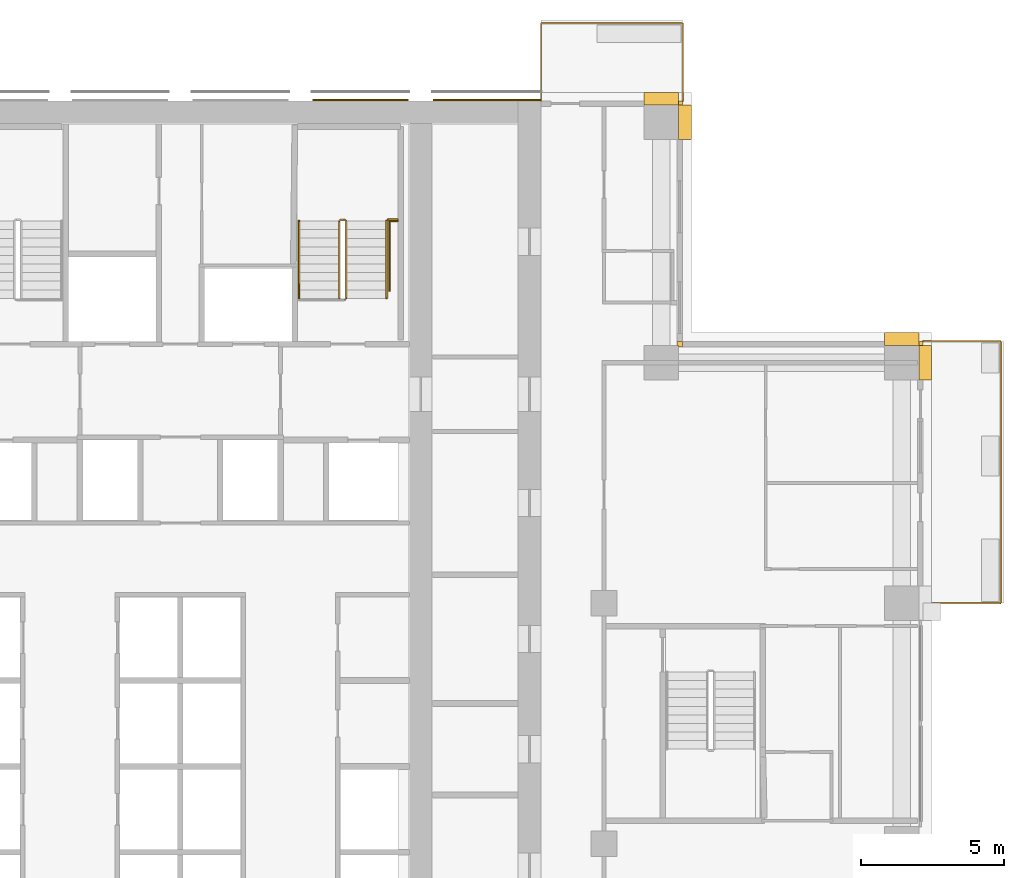
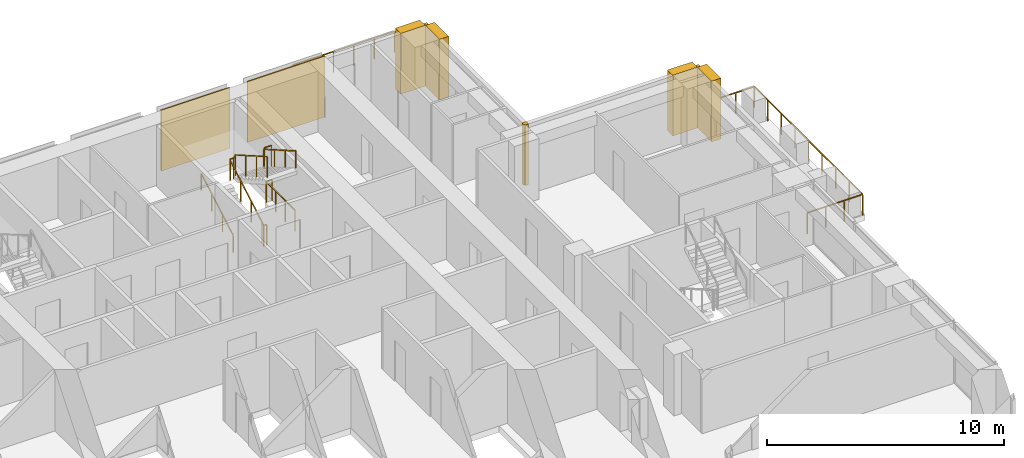
# One storey, part 16 of 16: 9 coverings, 7 railings.
"""IFC4 building model written with IfcOpenShell, lengths in metres."""

import ifcopenshell
import ifcopenshell.guid

model = None  # the IFC model being written
_history = None  # IfcOwnerHistory: only IFC2X3 demands one
_inside = {}  # id of a spatial element -> (the spatial element, [elements in it])
_under = {}  # id of a project, library or spatial element -> (it, [spatial elements below it])
_declared = {}  # id of a project -> (the project, [libraries it declares])
_typed = {}  # id of a type object -> (the type object, [elements of that type])
_made_of = {}  # id of a material, layer set ... -> (it, [elements and type objects made of it])


def new_model(schema):
    """Start an empty IFC model of exactly this schema.

    Asked for "IFC4X3", IfcOpenShell would pick the latest addendum, in which some entities
    have other attributes; the version numbers below select the first issue.
    IFC2X3 requires an IfcOwnerHistory on every rooted entity: one is made here for all.
    """
    global model, _history
    if schema == "IFC4X3":
        model = ifcopenshell.file(schema_version=(4, 3, 0, 0))
    else:
        model = ifcopenshell.file(schema=schema)
    _inside.clear()
    _under.clear()
    _declared.clear()
    _typed.clear()
    _made_of.clear()
    _history = None
    if model.schema == "IFC2X3":
        org = make("IfcOrganization", Name="unknown")
        user = make(
            "IfcPersonAndOrganization",
            ThePerson=make("IfcPerson", FamilyName="unknown"),
            TheOrganization=org,
        )
        app = make(
            "IfcApplication",
            ApplicationDeveloper=org,
            Version="unknown",
            ApplicationFullName="unknown",
            ApplicationIdentifier="unknown",
        )
        _history = make(
            "IfcOwnerHistory",
            OwningUser=user,
            OwningApplication=app,
            ChangeAction="ADDED",
            CreationDate=0,
        )
    return model


def make(cls, **values):
    """One entity of the class cls with the attributes given. An attribute that is None is left unset."""
    return model.create_entity(
        cls, **{name: value for name, value in values.items() if value is not None}
    )


def rooted(cls, **values):
    """An entity with a GlobalId (a new one), such as an element, a storey or a relation."""
    return make(cls, GlobalId=ifcopenshell.guid.new(), OwnerHistory=_history, **values)


def si_unit(unit_type, name, prefix=None):
    """IfcSIUnit, for example si_unit("LENGTHUNIT", "METRE", prefix="MILLI")."""
    return make("IfcSIUnit", UnitType=unit_type, Prefix=prefix, Name=name)


def assignment(units):
    """IfcUnitAssignment: the units of a project."""
    return None if units is None else make("IfcUnitAssignment", Units=units)


def point(xyz):
    """IfcCartesianPoint."""
    return None if xyz is None else make("IfcCartesianPoint", Coordinates=xyz)


def direction(xyz):
    """IfcDirection."""
    return None if xyz is None else make("IfcDirection", DirectionRatios=xyz)


def frame(location, z_axis=None, x_axis=None):
    """IfcAxis2Placement3D, a coordinate frame: its origin and axes. An axis left out is left unset."""
    return make(
        "IfcAxis2Placement3D",
        Location=point(location),
        Axis=direction(z_axis),
        RefDirection=direction(x_axis),
    )


def frame_2d(location, x_axis=None):
    """IfcAxis2Placement2D, a coordinate frame in the plane: its origin and x axis."""
    return make(
        "IfcAxis2Placement2D", Location=point(location), RefDirection=direction(x_axis)
    )


def origin():
    """The frame at (0, 0, 0) with its axes left unset."""
    return frame((0.0, 0.0, 0.0))


def origin_2d():
    """The frame at (0, 0) in the plane with its x axis left unset."""
    return frame_2d((0.0, 0.0))


def place(relative_to, where):
    """IfcLocalPlacement: puts the frame where relative to a parent placement (None: the world)."""
    return make(
        "IfcLocalPlacement", PlacementRelTo=relative_to, RelativePlacement=where
    )


def context(
    kind, dimensions, precision=None, world=None, true_north=None, identifier=None
):
    """IfcGeometricRepresentationContext, for example the 3D "Model" context."""
    return make(
        "IfcGeometricRepresentationContext",
        ContextIdentifier=identifier,
        ContextType=kind,
        CoordinateSpaceDimension=dimensions,
        Precision=precision,
        WorldCoordinateSystem=world,
        TrueNorth=true_north,
    )


def subcontext(parent, identifier, kind, view, scale=None):
    """IfcGeometricRepresentationSubContext, for example "Body" below "Model"."""
    return make(
        "IfcGeometricRepresentationSubContext",
        ContextIdentifier=identifier,
        ContextType=kind,
        ParentContext=parent,
        TargetScale=scale,
        TargetView=view,
    )


def project(units=None, contexts=None):
    """IfcProject with its units and contexts."""
    return rooted(
        "IfcProject",
        Name="project",
        RepresentationContexts=contexts,
        UnitsInContext=assignment(units),
    )


def spatial(cls, under=None, at=None, **own):
    """A site, building, storey or space (cls), placed at a placement, below another one or the project."""
    s = rooted(cls, ObjectPlacement=at, **own)
    if under is not None:
        _under.setdefault(under.id(), (under, []))[1].append(s)
    return s


def polyline(points):
    """IfcPolyline through the points."""
    return make("IfcPolyline", Points=[point(p) for p in points])


def profile(cls, at=None, kind="AREA", **sizes):
    """A parametric profile (cls). Its sizes go by their IFC names, for example OverallWidth=200.0."""
    return make(cls, ProfileType=kind, Position=at, **sizes)


def rectangle(**sizes):
    """IfcRectangleProfileDef."""
    return profile("IfcRectangleProfileDef", **sizes)


def outline(outer, holes=None, kind="AREA"):
    """IfcArbitraryClosedProfileDef: a profile drawn as a closed curve; with holes, ...WithVoids."""
    if holes is None:
        return make("IfcArbitraryClosedProfileDef", ProfileType=kind, OuterCurve=outer)
    return make(
        "IfcArbitraryProfileDefWithVoids",
        ProfileType=kind,
        OuterCurve=outer,
        InnerCurves=holes,
    )


def extrude(swept, where, along, depth):
    """IfcExtrudedAreaSolid: the profile swept, set in the frame where, extruded along a direction by depth."""
    return make(
        "IfcExtrudedAreaSolid",
        SweptArea=swept,
        Position=where,
        ExtrudedDirection=direction(along),
        Depth=depth,
    )


def shape(context_of_items, identifier, shape_type, items):
    """IfcShapeRepresentation: the items that make up one representation, for example the "Body"."""
    return make(
        "IfcShapeRepresentation",
        ContextOfItems=context_of_items,
        RepresentationIdentifier=identifier,
        RepresentationType=shape_type,
        Items=items,
    )


def material(Name=None, Category=None):
    """IfcMaterial."""
    return make("IfcMaterial", Name=Name, Category=Category)


def made_of(thing, what):
    """Note that an element or type object is made of a material, layer set ...; save() writes the relation."""
    if what is not None:
        _made_of.setdefault(what.id(), (what, []))[1].append(thing)
    return thing


def type_object(cls, material=None, **own):
    """A type object (cls), such as IfcWallType, which elements share."""
    return made_of(rooted(cls, **own), material)


def element(
    cls,
    number,
    at=None,
    inside=None,
    cuts=None,
    type_object=None,
    material=None,
    context=None,
    identifier="Body",
    shape_type=None,
    held_by="IfcProductDefinitionShape",
    body=None,
    shapes=None,
    **own,
):
    """One element of the class cls, such as IfcWall. Its Tag is "e" and its number.

    at: its placement. inside: the storey or other place that contains it. cuts: it is an
    opening in that element (IfcRelVoidsElement). A single representation is given by context,
    identifier, shape_type and body (its items); several are given by shapes. held_by: the class
    of the entity that holds the representations. save() writes the other relations.
    """
    e = rooted(cls, Tag="e%d" % number, ObjectPlacement=at, **own)
    if body is not None:
        shapes = [shape(context, identifier, shape_type, body)]
    if shapes is not None:
        e.Representation = make(held_by, Representations=shapes)
    if inside is not None:
        _inside.setdefault(inside.id(), (inside, []))[1].append(e)
    if cuts is not None:
        rooted(
            "IfcRelVoidsElement", RelatingBuildingElement=cuts, RelatedOpeningElement=e
        )
    if type_object is not None:
        _typed.setdefault(type_object.id(), (type_object, []))[1].append(e)
    return made_of(e, material)


def aggregate(whole, parts):
    """IfcRelAggregates: a whole, such as a stair, and the parts it consists of."""
    return rooted("IfcRelAggregates", RelatingObject=whole, RelatedObjects=parts)


def save(model, path):
    """Write the relations noted so far, then the file.

    IfcRelAggregates (storeys below a building ...), IfcRelContainedInSpatialStructure (elements
    in a storey), IfcRelDefinesByType, IfcRelAssociatesMaterial and IfcRelDeclares: one each for
    every whole, place, type object, material and project.
    """
    for whole, parts in _under.values():
        aggregate(whole, parts)
    for where, things in _inside.values():
        rooted(
            "IfcRelContainedInSpatialStructure",
            RelatedElements=things,
            RelatingStructure=where,
        )
    for kind, things in _typed.values():
        rooted("IfcRelDefinesByType", RelatedObjects=things, RelatingType=kind)
    for what, things in _made_of.values():
        rooted("IfcRelAssociatesMaterial", RelatedObjects=things, RelatingMaterial=what)
    for by, libraries in _declared.values():
        rooted("IfcRelDeclares", RelatingContext=by, RelatedDefinitions=libraries)
    model.write(path)


model = new_model("IFC4")

# Units and contexts
model_context = context("Model", 3, precision=1e-05, world=origin(), true_north=direction((0.0, 1.0)))
body_context = subcontext(model_context, "Body", "Model", "MODEL_VIEW")
ifc_project = project(units=[si_unit("LENGTHUNIT", "METRE"), si_unit("AREAUNIT", "SQUARE_METRE"), si_unit("VOLUMEUNIT", "CUBIC_METRE"), si_unit("PLANEANGLEUNIT", "RADIAN"), si_unit("MASSUNIT", "GRAM", prefix="KILO")], contexts=[model_context])

# Site, building, storey
site_placement = place(None, origin())
site = spatial("IfcSite", under=ifc_project, at=site_placement, CompositionType="ELEMENT")
building_placement = place(site_placement, origin())
building = spatial("IfcBuilding", under=site, at=building_placement, Name="Vermilion Ogive Tower", CompositionType="ELEMENT")
storey_placement = place(building_placement, frame((0.0, 0.0, 114.89990234375)))
storey = spatial("IfcBuildingStorey", under=building, at=storey_placement, Name="L29", CompositionType="ELEMENT", Elevation=114.89990234375)

# Railings
ifc_material_1 = material(Name="Stainless steel and glass", Category="steel")
railing_type_1 = type_object("IfcRailingType", Name="Balcony guard", PredefinedType="GUARDRAIL", material=ifc_material_1)
railing_1_placement = place(storey_placement, frame((25.949951171875, 4.199951171875, -0.039794921875)))
element("IfcRailing", 1, at=railing_1_placement, inside=storey, type_object=railing_type_1, Name="Guard E03", PredefinedType="GUARDRAIL", context=body_context, shape_type="SweptSolid", body=[
    extrude(rectangle(XDim=0.048095703125, YDim=0.048095703125, at=origin_2d()), frame((0.0, 0.0, 1.076171875), z_axis=(1.0, 0.0, 0.0), x_axis=(0.0, 1.0, 0.0)), (0.0, 0.0, 1.0), 2.7041015625),
    extrude(rectangle(XDim=0.048095703125, YDim=0.048095703125, at=origin_2d()), frame((2.7041015625, 0.0, 1.076171875), z_axis=(0.0, 1.0, 0.0), x_axis=(-1.0, 0.0, 0.0)), (0.0, 0.0, 1.0), 9.150146484375),
    extrude(rectangle(XDim=0.048095703125, YDim=0.048095703125, at=origin_2d()), frame((2.7041015625, 9.150146484375, 1.076171875), z_axis=(-1.0, 0.0, 0.0), x_axis=(0.0, -1.0, 0.0)), (0.0, 0.0, 1.0), 2.7041015625),
    extrude(rectangle(XDim=0.0419921875, YDim=0.0419921875, at=origin_2d()), origin(), (0.0, 0.0, 1.0), 1.052001953125),
    extrude(rectangle(XDim=0.0419921875, YDim=0.0419921875, at=origin_2d()), frame((0.9013671875, 0.0, 0.0)), (0.0, 0.0, 1.0), 1.052001953125),
    extrude(rectangle(XDim=0.0419921875, YDim=0.0419921875, at=origin_2d()), frame((1.802734375, 0.0, 0.0)), (0.0, 0.0, 1.0), 1.052001953125),
    extrude(rectangle(XDim=0.0419921875, YDim=0.0419921875, at=origin_2d()), frame((2.7041015625, 0.0, 0.0)), (0.0, 0.0, 1.0), 1.052001953125),
    extrude(rectangle(XDim=0.0419921875, YDim=0.0419921875, at=origin_2d()), frame((2.7041015625, 1.143798828125, 0.0)), (0.0, 0.0, 1.0), 1.052001953125),
    extrude(rectangle(XDim=0.0419921875, YDim=0.0419921875, at=origin_2d()), frame((2.7041015625, 2.28759765625, 0.0)), (0.0, 0.0, 1.0), 1.052001953125),
    extrude(rectangle(XDim=0.0419921875, YDim=0.0419921875, at=origin_2d()), frame((2.7041015625, 3.431396484375, 0.0)), (0.0, 0.0, 1.0), 1.052001953125),
    extrude(rectangle(XDim=0.0419921875, YDim=0.0419921875, at=origin_2d()), frame((2.7041015625, 4.5751953125, 0.0)), (0.0, 0.0, 1.0), 1.052001953125),
    extrude(rectangle(XDim=0.0419921875, YDim=0.0419921875, at=origin_2d()), frame((2.7041015625, 5.71875, 0.0)), (0.0, 0.0, 1.0), 1.052001953125),
    extrude(rectangle(XDim=0.0419921875, YDim=0.0419921875, at=origin_2d()), frame((2.7041015625, 6.862548828125, 0.0)), (0.0, 0.0, 1.0), 1.052001953125),
    extrude(rectangle(XDim=0.0419921875, YDim=0.0419921875, at=origin_2d()), frame((2.7041015625, 8.00634765625, 0.0)), (0.0, 0.0, 1.0), 1.052001953125),
    extrude(rectangle(XDim=0.0419921875, YDim=0.0419921875, at=origin_2d()), frame((2.7041015625, 9.150146484375, 0.0)), (0.0, 0.0, 1.0), 1.052001953125),
    extrude(rectangle(XDim=0.0419921875, YDim=0.0419921875, at=origin_2d()), frame((1.802734375, 9.150146484375, 0.0)), (0.0, 0.0, 1.0), 1.052001953125),
    extrude(rectangle(XDim=0.0419921875, YDim=0.0419921875, at=origin_2d()), frame((0.9013671875, 9.150146484375, 0.0)), (0.0, 0.0, 1.0), 1.052001953125),
    extrude(rectangle(XDim=0.0419921875, YDim=0.0419921875, at=origin_2d()), frame((0.0, 9.150146484375, 0.0)), (0.0, 0.0, 1.0), 1.052001953125),
])
railing_2_placement = place(storey_placement, frame((17.550048828125, 21.75, -0.039794921875)))
element("IfcRailing", 2, at=railing_2_placement, inside=storey, type_object=railing_type_1, Name="Guard N101", PredefinedType="GUARDRAIL", context=body_context, shape_type="SweptSolid", body=[
    extrude(rectangle(XDim=0.048095703125, YDim=0.048095703125, at=origin_2d()), frame((0.0, 0.0, 1.076171875), z_axis=(0.0, 1.0, 0.0), x_axis=(-1.0, 0.0, 0.0)), (0.0, 0.0, 1.0), 2.7041015625),
    extrude(rectangle(XDim=0.048095703125, YDim=0.048095703125, at=origin_2d()), frame((0.0, 2.7041015625, 1.076171875), z_axis=(-1.0, 0.0, 0.0), x_axis=(0.0, -1.0, 0.0)), (0.0, 0.0, 1.0), 4.949951171875),
    extrude(rectangle(XDim=0.048095703125, YDim=0.048095703125, at=origin_2d()), frame((-4.949951171875, 2.7041015625, 1.076171875), z_axis=(0.0, -1.0, 0.0), x_axis=(1.0, 0.0, 0.0)), (0.0, 0.0, 1.0), 2.7041015625),
    extrude(rectangle(XDim=0.0419921875, YDim=0.0419921875, at=origin_2d()), origin(), (0.0, 0.0, 1.0), 1.052001953125),
    extrude(rectangle(XDim=0.0419921875, YDim=0.0419921875, at=origin_2d()), frame((0.0, 0.9013671875, 0.0)), (0.0, 0.0, 1.0), 1.052001953125),
    extrude(rectangle(XDim=0.0419921875, YDim=0.0419921875, at=origin_2d()), frame((0.0, 1.802734375, 0.0)), (0.0, 0.0, 1.0), 1.052001953125),
    extrude(rectangle(XDim=0.0419921875, YDim=0.0419921875, at=origin_2d()), frame((0.0, 2.7041015625, 0.0)), (0.0, 0.0, 1.0), 1.052001953125),
    extrude(rectangle(XDim=0.0419921875, YDim=0.0419921875, at=origin_2d()), frame((-0.989990234375, 2.7041015625, 0.0)), (0.0, 0.0, 1.0), 1.052001953125),
    extrude(rectangle(XDim=0.0419921875, YDim=0.0419921875, at=origin_2d()), frame((-1.97998046875, 2.7041015625, 0.0)), (0.0, 0.0, 1.0), 1.052001953125),
    extrude(rectangle(XDim=0.0419921875, YDim=0.0419921875, at=origin_2d()), frame((-2.969970703125, 2.7041015625, 0.0)), (0.0, 0.0, 1.0), 1.052001953125),
    extrude(rectangle(XDim=0.0419921875, YDim=0.0419921875, at=origin_2d()), frame((-3.9599609375, 2.7041015625, 0.0)), (0.0, 0.0, 1.0), 1.052001953125),
    extrude(rectangle(XDim=0.0419921875, YDim=0.0419921875, at=origin_2d()), frame((-4.949951171875, 2.7041015625, 0.0)), (0.0, 0.0, 1.0), 1.052001953125),
    extrude(rectangle(XDim=0.0419921875, YDim=0.0419921875, at=origin_2d()), frame((-4.949951171875, 1.802734375, 0.0)), (0.0, 0.0, 1.0), 1.052001953125),
    extrude(rectangle(XDim=0.0419921875, YDim=0.0419921875, at=origin_2d()), frame((-4.949951171875, 0.9013671875, 0.0)), (0.0, 0.0, 1.0), 1.052001953125),
    extrude(rectangle(XDim=0.0419921875, YDim=0.0419921875, at=origin_2d()), frame((-4.949951171875, 0.0, 0.0)), (0.0, 0.0, 1.0), 1.052001953125),
])
ifc_material_2 = material(Name="Steel S355 painted", Category="steel")
railing_type_2 = type_object("IfcRailingType", Name="Stair guard 1100", PredefinedType="GUARDRAIL", material=ifc_material_2)
railing_3_placement = place(storey_placement, frame((5.75, 14.800048828125, 0.0)))
element("IfcRailing", 3, at=railing_3_placement, inside=storey, type_object=railing_type_2, Name="L29 ST2 stair guard 4", PredefinedType="GUARDRAIL", context=body_context, shape_type="SweptSolid", body=[
    extrude(rectangle(XDim=0.048095703125, YDim=0.048095703125, at=origin_2d()), frame((0.0, 0.0, 1.076171875), z_axis=(-1.0, 0.0, 0.0), x_axis=(0.0, -1.0, 0.0)), (0.0, 0.0, 1.0), 0.14990234375),
    extrude(rectangle(XDim=0.048095703125, YDim=0.048095703125, at=origin_2d()), frame((-0.14990234375, 0.0, 1.076171875), z_axis=(-0.268277960024, 0.268277960024, 0.925231793839), x_axis=(-0.707106781187, -0.707106781187, 0.0)), (0.0, 0.0, 1.0), 0.1865234375),
    extrude(rectangle(XDim=0.048095703125, YDim=0.048095703125, at=origin_2d()), frame((-0.199951171875, 0.050048828125, 1.24853515625), z_axis=(0.0, 0.866903762492, 0.498475542607), x_axis=(-1.0, 0.0, 0.0)), (0.0, 0.0, 1.0), 3.114501953125),
    extrude(rectangle(XDim=0.048095703125, YDim=0.048095703125, at=origin_2d()), frame((-0.199951171875, 2.75, 2.80126953125), z_axis=(0.707106781187, 0.707106781187, 0.0), x_axis=(-0.707106781187, 0.707106781187, 0.0)), (0.0, 0.0, 1.0), 0.07080078125),
    extrude(rectangle(XDim=0.048095703125, YDim=0.048095703125, at=origin_2d()), frame((-0.14990234375, 2.800048828125, 2.80126953125), z_axis=(1.0, 0.0, 0.0), x_axis=(0.0, 1.0, 0.0)), (0.0, 0.0, 1.0), 0.14990234375),
    extrude(rectangle(XDim=0.048095703125, YDim=0.048095703125, at=origin_2d()), frame((0.0, 2.800048828125, 2.80126953125), z_axis=(0.268277960024, -0.268277960024, 0.925231793839), x_axis=(0.707106781187, 0.707106781187, 0.0)), (0.0, 0.0, 1.0), 0.1865234375),
    extrude(rectangle(XDim=0.048095703125, YDim=0.048095703125, at=origin_2d()), frame((0.050048828125, 2.75, 2.9736328125), z_axis=(0.0, -0.866903762492, 0.498475542607), x_axis=(1.0, 0.0, 0.0)), (0.0, 0.0, 1.0), 3.114501953125),
    extrude(rectangle(XDim=0.0419921875, YDim=0.0419921875, at=origin_2d()), origin(), (0.0, 0.0, 1.0), 1.052001953125),
    extrude(rectangle(XDim=0.0419921875, YDim=0.0419921875, at=origin_2d()), frame((-0.14990234375, 0.0, 0.0)), (0.0, 0.0, 1.0), 1.052001953125),
    extrude(rectangle(XDim=0.0419921875, YDim=0.0419921875, at=origin_2d()), frame((-0.199951171875, 0.050048828125, 0.172607421875)), (0.0, 0.0, 1.0), 1.052001953125),
    extrude(rectangle(XDim=0.0419921875, YDim=0.0419921875, at=origin_2d()), frame((-0.199951171875, 0.949951171875, 0.690185546875)), (0.0, 0.0, 1.0), 1.052001953125),
    extrude(rectangle(XDim=0.0419921875, YDim=0.0419921875, at=origin_2d()), frame((-0.199951171875, 1.85009765625, 1.20751953125)), (0.0, 0.0, 1.0), 1.052001953125),
    extrude(rectangle(XDim=0.0419921875, YDim=0.0419921875, at=origin_2d()), frame((-0.199951171875, 2.75, 1.72509765625)), (0.0, 0.0, 1.0), 1.052001953125),
    extrude(rectangle(XDim=0.0419921875, YDim=0.0419921875, at=origin_2d()), frame((-0.14990234375, 2.800048828125, 1.72509765625)), (0.0, 0.0, 1.0), 1.052001953125),
    extrude(rectangle(XDim=0.0419921875, YDim=0.0419921875, at=origin_2d()), frame((0.0, 2.800048828125, 1.72509765625)), (0.0, 0.0, 1.0), 1.052001953125),
    extrude(rectangle(XDim=0.0419921875, YDim=0.0419921875, at=origin_2d()), frame((0.050048828125, 2.75, 1.897705078125)), (0.0, 0.0, 1.0), 1.052001953125),
    extrude(rectangle(XDim=0.0419921875, YDim=0.0419921875, at=origin_2d()), frame((0.050048828125, 1.85009765625, 2.415283203125)), (0.0, 0.0, 1.0), 1.052001953125),
    extrude(rectangle(XDim=0.0419921875, YDim=0.0419921875, at=origin_2d()), frame((0.050048828125, 0.949951171875, 2.9326171875)), (0.0, 0.0, 1.0), 1.052001953125),
    extrude(rectangle(XDim=0.0419921875, YDim=0.0419921875, at=origin_2d()), frame((0.050048828125, 0.050048828125, 3.4501953125)), (0.0, 0.0, 1.0), 1.052001953125),
])
railing_4_placement = place(storey_placement, frame((7.25, 17.60009765625, 1.72509765625)))
element("IfcRailing", 4, at=railing_4_placement, inside=storey, type_object=railing_type_2, Name="L29 landing guard", PredefinedType="GUARDRAIL", context=body_context, shape_type="SweptSolid", body=[
    extrude(rectangle(XDim=0.048095703125, YDim=0.048095703125, at=origin_2d()), frame((0.0, 0.0, 1.076171875), z_axis=(1.0, 0.0, 0.0), x_axis=(0.0, 1.0, 0.0)), (0.0, 0.0, 1.0), 0.35009765625),
    extrude(rectangle(XDim=0.0419921875, YDim=0.0419921875, at=origin_2d()), origin(), (0.0, 0.0, 1.0), 1.052001953125),
    extrude(rectangle(XDim=0.0419921875, YDim=0.0419921875, at=origin_2d()), frame((0.35009765625, 0.0, 0.0)), (0.0, 0.0, 1.0), 1.052001953125),
])
railing_5_placement = place(storey_placement, frame((7.599609375, 17.54296875, 0.0)))
element("IfcRailing", 5, at=railing_5_placement, inside=storey, type_object=railing_type_2, Name="L29 stair opening guard", PredefinedType="GUARDRAIL", context=body_context, shape_type="SweptSolid", body=[
    extrude(rectangle(XDim=0.048095703125, YDim=0.048095703125, at=origin_2d()), frame((0.0, 0.0, 1.076171875), z_axis=(-1.0, 0.0, 0.0), x_axis=(0.0, -1.0, 0.0)), (0.0, 0.0, 1.0), 0.2900390625),
    extrude(rectangle(XDim=0.048095703125, YDim=0.048095703125, at=origin_2d()), frame((-0.2900390625, 0.0, 1.076171875), z_axis=(0.0, -1.0, 0.0), x_axis=(1.0, 0.0, 0.0)), (0.0, 0.0, 1.0), 2.42431640625),
    extrude(rectangle(XDim=0.0419921875, YDim=0.0419921875, at=origin_2d()), origin(), (0.0, 0.0, 1.0), 1.052001953125),
    extrude(rectangle(XDim=0.0419921875, YDim=0.0419921875, at=origin_2d()), frame((-0.2900390625, 0.0, 0.0)), (0.0, 0.0, 1.0), 1.052001953125),
    extrude(rectangle(XDim=0.0419921875, YDim=0.0419921875, at=origin_2d()), frame((-0.2900390625, -0.80810546875, 0.0)), (0.0, 0.0, 1.0), 1.052001953125),
    extrude(rectangle(XDim=0.0419921875, YDim=0.0419921875, at=origin_2d()), frame((-0.2900390625, -1.6162109375, 0.0)), (0.0, 0.0, 1.0), 1.052001953125),
    extrude(rectangle(XDim=0.0419921875, YDim=0.0419921875, at=origin_2d()), frame((-0.2900390625, -2.42431640625, 0.0)), (0.0, 0.0, 1.0), 1.052001953125),
])
ifc_material_3 = material(Name="Stainless steel", Category="steel")
railing_type_3 = type_object("IfcRailingType", Name="Stair handrail 900", PredefinedType="HANDRAIL", material=ifc_material_3)
railing_6_placement = place(storey_placement, frame((4.14990234375, 14.85009765625, 0.172607421875)))
element("IfcRailing", 6, at=railing_6_placement, inside=storey, type_object=railing_type_3, Name="L29 ST2 stair handrail 1", PredefinedType="HANDRAIL", context=body_context, shape_type="SweptSolid", body=[
    extrude(rectangle(XDim=0.048095703125, YDim=0.048095703125, at=origin_2d()), frame((0.0, 0.0, 0.8759765625), z_axis=(0.0, 0.866903762492, 0.498475542607), x_axis=(-1.0, 0.0, 0.0)), (0.0, 0.0, 1.0), 3.114501953125),
    extrude(rectangle(XDim=0.0419921875, YDim=0.0419921875, at=origin_2d()), origin(), (0.0, 0.0, 1.0), 0.851806640625),
    extrude(rectangle(XDim=0.0419921875, YDim=0.0419921875, at=origin_2d()), frame((0.0, 0.89990234375, 0.517578125)), (0.0, 0.0, 1.0), 0.851806640625),
    extrude(rectangle(XDim=0.0419921875, YDim=0.0419921875, at=origin_2d()), frame((0.0, 1.800048828125, 1.034912109375)), (0.0, 0.0, 1.0), 0.851806640625),
    extrude(rectangle(XDim=0.0419921875, YDim=0.0419921875, at=origin_2d()), frame((0.0, 2.699951171875, 1.552490234375)), (0.0, 0.0, 1.0), 0.851806640625),
])
railing_7_placement = place(storey_placement, frame((7.199951171875, 17.550048828125, 1.897705078125)))
element("IfcRailing", 7, at=railing_7_placement, inside=storey, type_object=railing_type_3, Name="L29 ST2 stair handrail 2", PredefinedType="HANDRAIL", context=body_context, shape_type="SweptSolid", body=[
    extrude(rectangle(XDim=0.048095703125, YDim=0.048095703125, at=origin_2d()), frame((0.0, 0.0, 0.8759765625), z_axis=(0.0, -0.866903762492, 0.498475542607), x_axis=(1.0, 0.0, 0.0)), (0.0, 0.0, 1.0), 3.114501953125),
    extrude(rectangle(XDim=0.0419921875, YDim=0.0419921875, at=origin_2d()), origin(), (0.0, 0.0, 1.0), 0.851806640625),
    extrude(rectangle(XDim=0.0419921875, YDim=0.0419921875, at=origin_2d()), frame((0.0, -0.89990234375, 0.517578125)), (0.0, 0.0, 1.0), 0.851806640625),
    extrude(rectangle(XDim=0.0419921875, YDim=0.0419921875, at=origin_2d()), frame((0.0, -1.800048828125, 1.034912109375)), (0.0, 0.0, 1.0), 0.851806640625),
    extrude(rectangle(XDim=0.0419921875, YDim=0.0419921875, at=origin_2d()), frame((0.0, -2.699951171875, 1.552490234375)), (0.0, 0.0, 1.0), 0.851806640625),
])

# Coverings
ifc_material_4 = material(Name="Stone cladding", Category="masonry")
covering_type_1 = type_object("IfcCoveringType", Name="Stone cladding panel", PredefinedType="CLADDING", material=ifc_material_4)
covering_1_placement = place(storey_placement, origin())
element("IfcCovering", 8, at=covering_1_placement, inside=storey, type_object=covering_type_1, Name="Stone cladding panel N5", PredefinedType="CLADDING", context=body_context, shape_type="SweptSolid", body=[
    extrude(outline(polyline([(4.6298828125, 21.75), (7.969970703125, 21.75), (7.969970703125, 21.81005859375), (4.6298828125, 21.81005859375), (4.6298828125, 21.75)])), origin(), (0.0, 0.0, 1.0), 3.130126953125),
])
covering_2_placement = place(storey_placement, origin())
element("IfcCovering", 9, at=covering_2_placement, inside=storey, type_object=covering_type_1, Name="Stone cladding panel N6", PredefinedType="CLADDING", context=body_context, shape_type="SweptSolid", body=[
    extrude(outline(polyline([(8.830078125, 21.75), (12.590087890625, 21.75), (12.590087890625, 21.81005859375), (8.830078125, 21.81005859375), (8.830078125, 21.75)])), origin(), (0.0, 0.0, 1.0), 3.130126953125),
])
ifc_material_5 = material(Name="Stone cladding", Category="masonry")
covering_type_2 = type_object("IfcCoveringType", Name="Stone pier", PredefinedType="CLADDING", material=ifc_material_5)
covering_3_placement = place(storey_placement, origin())
element("IfcCovering", 10, at=covering_3_placement, inside=storey, type_object=covering_type_2, Name="Stone corner pier EE1", PredefinedType="CLADDING", context=body_context, shape_type="SweptSolid", body=[
    extrude(outline(polyline([(25.949951171875, 13.199951171875), (25.800048828125, 13.199951171875), (25.800048828125, 13.35009765625), (25.949951171875, 13.35009765625), (25.949951171875, 13.199951171875)])), origin(), (0.0, 0.0, 1.0), 3.130126953125),
])
covering_4_placement = place(storey_placement, origin())
element("IfcCovering", 11, at=covering_4_placement, inside=storey, type_object=covering_type_2, Name="Stone corner pier X3E1", PredefinedType="CLADDING", context=body_context, shape_type="SweptSolid", body=[
    extrude(outline(polyline([(17.39990234375, 13.14990234375), (17.39990234375, 13.199951171875), (17.35009765625, 13.199951171875), (17.35009765625, 13.35009765625), (17.550048828125, 13.35009765625), (17.550048828125, 13.14990234375), (17.39990234375, 13.14990234375)])), origin(), (0.0, 0.0, 1.0), 3.130126953125),
])
covering_5_placement = place(storey_placement, origin())
element("IfcCovering", 12, at=covering_5_placement, inside=storey, type_object=covering_type_2, Name="Stone corner pier X4E1", PredefinedType="CLADDING", context=body_context, shape_type="SweptSolid", body=[
    extrude(outline(polyline([(17.550048828125, 21.60009765625), (17.39990234375, 21.60009765625), (17.39990234375, 21.60009765625), (17.39990234375, 21.75), (17.550048828125, 21.75), (17.550048828125, 21.60009765625)])), origin(), (0.0, 0.0, 1.0), 3.130126953125),
])
covering_6_placement = place(storey_placement, origin())
element("IfcCovering", 13, at=covering_6_placement, inside=storey, type_object=covering_type_2, Name="Stone pier P+0168+210X4", PredefinedType="CLADDING", context=body_context, shape_type="SweptSolid", body=[
    extrude(outline(polyline([(17.85009765625, 21.60009765625), (17.85009765625, 20.39990234375), (17.39990234375, 20.39990234375), (17.39990234375, 21.60009765625), (17.85009765625, 21.60009765625)])), origin(), (0.0, 0.0, 1.0), 3.130126953125),
])
covering_7_placement = place(storey_placement, origin())
element("IfcCovering", 14, at=covering_7_placement, inside=storey, type_object=covering_type_2, Name="Stone pier P+0168+210N1", PredefinedType="CLADDING", context=body_context, shape_type="SweptSolid", body=[
    extrude(outline(polyline([(17.39990234375, 22.050048828125), (17.39990234375, 21.60009765625), (16.199951171875, 21.60009765625), (16.199951171875, 22.050048828125), (17.39990234375, 22.050048828125)])), origin(), (0.0, 0.0, 1.0), 3.130126953125),
])
covering_8_placement = place(storey_placement, origin())
element("IfcCovering", 15, at=covering_8_placement, inside=storey, type_object=covering_type_2, Name="Stone pier P+0252+126E", PredefinedType="CLADDING", context=body_context, shape_type="SweptSolid", body=[
    extrude(outline(polyline([(25.800048828125, 13.199951171875), (25.800048828125, 13.199951171875), (26.25, 13.199951171875), (26.25, 12.0), (25.800048828125, 12.0), (25.800048828125, 12.0), (25.800048828125, 13.199951171875)])), origin(), (0.0, 0.0, 1.0), 3.130126953125),
])
covering_9_placement = place(storey_placement, origin())
element("IfcCovering", 16, at=covering_9_placement, inside=storey, type_object=covering_type_2, Name="Stone pier P+0252+126X3", PredefinedType="CLADDING", context=body_context, shape_type="SweptSolid", body=[
    extrude(outline(polyline([(25.800048828125, 13.64990234375), (25.800048828125, 13.199951171875), (25.800048828125, 13.199951171875), (24.60009765625, 13.199951171875), (24.60009765625, 13.64990234375), (25.800048828125, 13.64990234375)])), origin(), (0.0, 0.0, 1.0), 3.130126953125),
])

save(model, "model.ifc")
